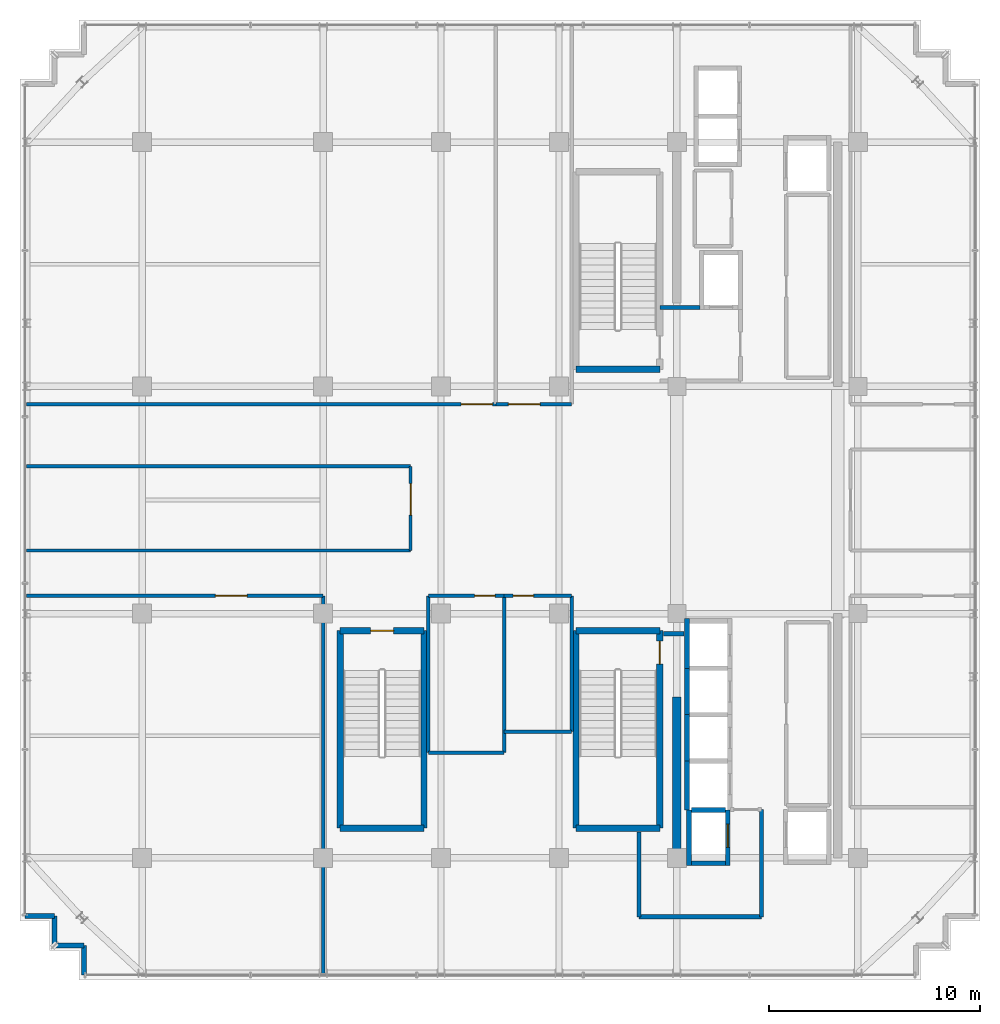
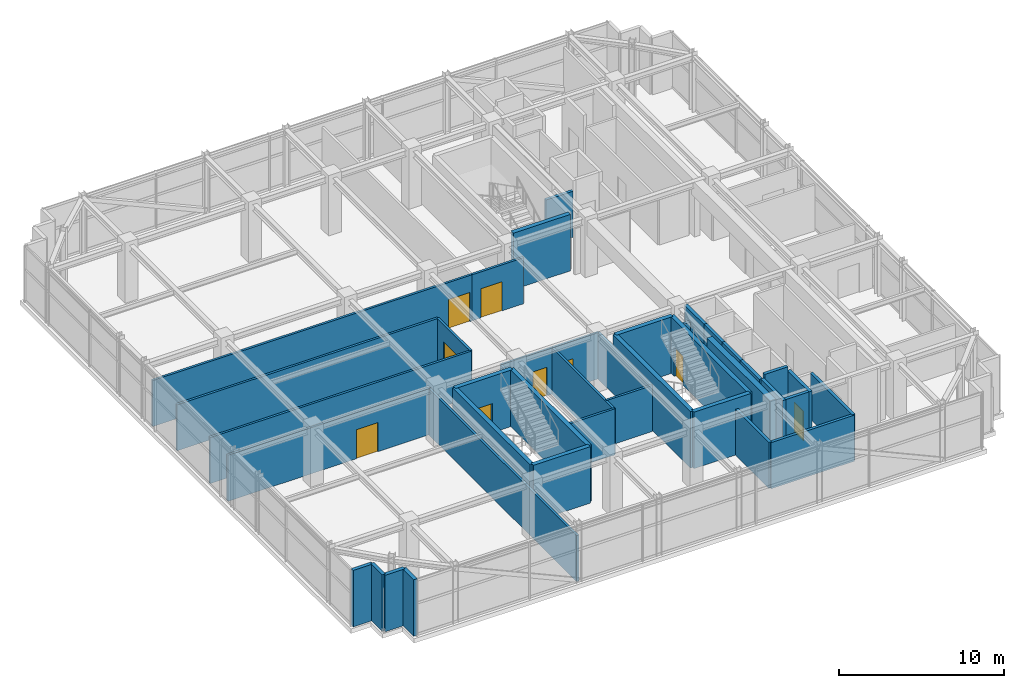
# One storey, part 22 of 26: 41 walls, 9 doors, 9 openings.
"""IFC4 building model written with IfcOpenShell, lengths in metres."""

from ifc_helpers import new_model, si_unit, direction, frame, frame_2d, origin, place, context, subcontext, project, spatial, rectangle, extrude, source, transform, mapped, material, layer, layer_set, type_object, element, fill, save


model = new_model("IFC4")

# Units and contexts
model_context = context("Model", 3, precision=1e-05, world=origin(), true_north=direction((0.0, 1.0)))
body_context = subcontext(model_context, "Body", "Model", "MODEL_VIEW")
ifc_project = project(units=[si_unit("LENGTHUNIT", "METRE"), si_unit("AREAUNIT", "SQUARE_METRE"), si_unit("VOLUMEUNIT", "CUBIC_METRE"), si_unit("PLANEANGLEUNIT", "RADIAN"), si_unit("MASSUNIT", "GRAM", prefix="KILO")], contexts=[model_context])

# Site, building, storey
site_placement = place(None, origin())
site = spatial("IfcSite", under=ifc_project, at=site_placement, CompositionType="ELEMENT")
building_placement = place(site_placement, origin())
building = spatial("IfcBuilding", under=site, at=building_placement, Name="Nahalor Promenade Grand Hotel", CompositionType="ELEMENT")
storey_placement = place(building_placement, frame((0.0, 0.0, 343.050048828125)))
storey = spatial("IfcBuildingStorey", under=building, at=storey_placement, Name="L88", CompositionType="ELEMENT", Elevation=343.050048828125)

# Walls
ifc_material_1 = material(Name="Concrete B-50 (C40/50)", Category="concrete")
ifc_layer_1 = layer(ifc_material_1, 0.39990234375)
ifc_layer_set_1 = layer_set([ifc_layer_1], Name="Concrete B-50 (C40/50)")
wall_type_1 = type_object("IfcWallType", Name="Wall-CoreShear-400", PredefinedType="SHEAR", material=ifc_layer_set_1)
shared_shape_1 = source(origin(), body_context, "Body", "SweptSolid", [
    extrude(rectangle(XDim=7.64990234375, YDim=0.39990234375, at=frame_2d((3.824951171875, 0.0))), origin(), (0.0, 0.0, 1.0), 4.169921875),
])
wall_1_placement = place(storey_placement, frame((8.39990234375, -17.0, 0.0), z_axis=(0.0, 0.0, 1.0), x_axis=(0.0, 1.0, 0.0)))
element("IfcWall", 1, at=wall_1_placement, inside=storey, type_object=wall_type_1, Name="CWALL-L88-SW", PredefinedType="SHEAR", context=body_context, shape_type="MappedRepresentation", body=[
    mapped(shared_shape_1, transform((0.0, 0.0, 0.0), scale=1.0)),
])
ifc_layer_2 = layer(ifc_material_1, 0.300048828125)
ifc_layer_set_2 = layer_set([ifc_layer_2], Name="Concrete B-50 (C40/50)")
wall_type_2 = type_object("IfcWallType", Name="Wall-ShaftShear-300", PredefinedType="SHEAR", material=ifc_layer_set_2)
shared_shape_2 = source(origin(), body_context, "Body", "SweptSolid", [
    extrude(rectangle(XDim=3.97998046875, YDim=0.300048828125, at=frame_2d((1.989990234375, 0.0))), origin(), (0.0, 0.0, 1.0), 4.169921875),
])
for number, where, z_axis, x_axis, name in (
    (2, (3.610107421875, 6.2099609375, 0.0), (0.0, 0.0, 1.0), (1.0, 0.0, 0.0), "L88 Exit Stair ST1 Shaft Wall S"),
    (3, (3.610107421875, -15.590087890625, 0.0), (0.0, 0.0, 1.0), (1.0, 0.0, 0.0), "L88 Exit Stair ST2 Shaft Wall S"),
    (4, (3.610107421875, -6.2099609375, 0.0), (0.0, 0.0, 1.0), (1.0, 0.0, 0.0), "L88 Exit Stair ST2 Shaft Wall N"),
    (5, (-7.590087890625, -15.590087890625, 0.0), (0.0, 0.0, 1.0), (1.0, 0.0, 0.0), "L88 Exit Stair ST3 Shaft Wall S"),
):
    element("IfcWall", number, at=place(storey_placement, frame(where, z_axis=z_axis, x_axis=x_axis)), inside=storey, type_object=wall_type_2, Name=name, PredefinedType="SHEAR", context=body_context, shape_type="MappedRepresentation", body=[
        mapped(shared_shape_2, transform((0.0, 0.0, 0.0), scale=1.0)),
    ])

# Wall, opening, door
wall_2_placement = place(storey_placement, frame((-7.590087890625, -6.2099609375, 0.0), z_axis=(0.0, 0.0, 1.0), x_axis=(1.0, 0.0, 0.0)))
wall_2 = element("IfcWall", 6, at=wall_2_placement, inside=storey, type_object=wall_type_2, Name="L88 Exit Stair ST3 Shaft Wall N", PredefinedType="SHEAR", context=body_context, shape_type="MappedRepresentation", body=[
    mapped(shared_shape_2, transform((0.0, 0.0, 0.0), scale=1.0)),
])
opening_1_placement = place(wall_2_placement, frame((1.43994140625, 0.0, 0.0)))
opening_1 = element("IfcOpeningElement", 7, at=opening_1_placement, cuts=wall_2, Name="Opening D-ST1", PredefinedType="OPENING", context=body_context, shape_type="SweptSolid", body=[
    extrude(rectangle(XDim=1.10009765625, YDim=2.14990234375, at=frame_2d((0.550048828125, 1.074951171875))), frame((0.0, 0.159912109375, 0.0), z_axis=(0.0, -1.0, 0.0), x_axis=(1.0, 0.0, 0.0)), (0.0, 0.0, 1.0), 0.320068359375),
])
ifc_material_2 = material(Name="Steel S355JR", Category="steel")
door_type_1 = type_object("IfcDoorType", Name="Door-StairFire-1100", OperationType="NOTDEFINED", PredefinedType="DOOR", material=ifc_material_2)
shared_shape_3 = source(origin(), body_context, "Body", "SweptSolid", [
    extrude(rectangle(XDim=1.10009765625, YDim=2.14990234375, at=frame_2d((0.550048828125, 1.074951171875))), frame((0.0, 0.02490234375, 0.0), z_axis=(0.0, -1.0, 0.0), x_axis=(1.0, 0.0, 0.0)), (0.0, 0.0, 1.0), 0.050048828125),
])
door_1_placement = place(opening_1_placement, frame((1.10009765625, 0.0, 0.0), z_axis=(0.0, 0.0, 1.0), x_axis=(-1.0, 0.0, 0.0)))
door_1 = element("IfcDoor", 8, at=door_1_placement, inside=storey, type_object=door_type_1, Name="DR-STAIR-ST3-L88", OperationType="SINGLE_SWING_LEFT", OverallHeight=2.14990234375, OverallWidth=1.10009765625, PredefinedType="DOOR", context=body_context, shape_type="MappedRepresentation", body=[
    mapped(shared_shape_3, transform((0.0, 0.0, 0.0), scale=1.0)),
])
fill(opening_1, door_1)

# Wall
shared_shape_4 = source(origin(), body_context, "Body", "SweptSolid", [
    extrude(rectangle(XDim=9.380126953125, YDim=0.300048828125, at=frame_2d((4.68994140625, 0.0))), origin(), (0.0, 0.0, 1.0), 4.169921875),
])
wall_3_placement = place(storey_placement, frame((3.610107421875, -15.590087890625, 0.0), z_axis=(0.0, 0.0, 1.0), x_axis=(0.0, 1.0, 0.0)))
element("IfcWall", 9, at=wall_3_placement, inside=storey, type_object=wall_type_2, Name="L88 Exit Stair ST2 Shaft Wall W", PredefinedType="SHEAR", context=body_context, shape_type="MappedRepresentation", body=[
    mapped(shared_shape_4, transform((0.0, 0.0, 0.0), scale=1.0)),
])

# Wall, opening, door
wall_4_placement = place(storey_placement, frame((7.590087890625, -15.590087890625, 0.0), z_axis=(0.0, 0.0, 1.0), x_axis=(0.0, 1.0, 0.0)))
wall_4 = element("IfcWall", 10, at=wall_4_placement, inside=storey, type_object=wall_type_2, Name="L88 Exit Stair ST2 Shaft Wall E", PredefinedType="SHEAR", context=body_context, shape_type="MappedRepresentation", body=[
    mapped(shared_shape_4, transform((0.0, 0.0, 0.0), scale=1.0)),
])
opening_2_placement = place(wall_4_placement, frame((7.7900390625, 0.0, 0.0)))
opening_2 = element("IfcOpeningElement", 11, at=opening_2_placement, cuts=wall_4, Name="Opening D-ST1", PredefinedType="OPENING", context=body_context, shape_type="SweptSolid", body=[
    extrude(rectangle(XDim=1.10009765625, YDim=2.14990234375, at=frame_2d((0.550048828125, 1.074951171875))), frame((0.0, 0.159912109375, 0.0), z_axis=(0.0, -1.0, 0.0), x_axis=(1.0, 0.0, 0.0)), (0.0, 0.0, 1.0), 0.320068359375),
])
door_2_placement = place(opening_2_placement, origin())
door_2 = element("IfcDoor", 12, at=door_2_placement, inside=storey, type_object=door_type_1, Name="DR-STAIR-ST2-L88", OperationType="SINGLE_SWING_LEFT", OverallHeight=2.14990234375, OverallWidth=1.10009765625, PredefinedType="DOOR", context=body_context, shape_type="MappedRepresentation", body=[
    mapped(shared_shape_3, transform((0.0, 0.0, 0.0), scale=1.0)),
])
fill(opening_2, door_2)

# Walls
for number, where, z_axis, x_axis, name in (
    (13, (-7.590087890625, -15.590087890625, 0.0), (0.0, 0.0, 1.0), (0.0, 1.0, 0.0), "L88 Exit Stair ST3 Shaft Wall W"),
    (14, (-3.610107421875, -15.590087890625, 0.0), (0.0, 0.0, 1.0), (0.0, 1.0, 0.0), "L88 Exit Stair ST3 Shaft Wall E"),
):
    element("IfcWall", number, at=place(storey_placement, frame(where, z_axis=z_axis, x_axis=x_axis)), inside=storey, type_object=wall_type_2, Name=name, PredefinedType="SHEAR", context=body_context, shape_type="MappedRepresentation", body=[
        mapped(shared_shape_4, transform((0.0, 0.0, 0.0), scale=1.0)),
    ])
ifc_layer_3 = layer(ifc_material_1, 0.219970703125)
ifc_layer_set_3 = layer_set([ifc_layer_3], Name="Concrete B-50 (C40/50)")
wall_type_3 = type_object("IfcWallType", Name="Wall-LiftShaft-220", PredefinedType="SHEAR", material=ifc_layer_set_3)
shared_shape_5 = source(origin(), body_context, "Body", "SweptSolid", [
    extrude(rectangle(XDim=2.360107421875, YDim=0.219970703125, at=frame_2d((1.18017578125, 0.0))), origin(), (0.0, 0.0, 1.0), 4.169921875),
])
wall_5_placement = place(storey_placement, frame((8.8798828125, -8.0, 0.0), z_axis=(0.0, 0.0, 1.0), x_axis=(0.0, 1.0, 0.0)))
element("IfcWall", 15, at=wall_5_placement, inside=storey, type_object=wall_type_3, Name="L88 Lift PL9 Hoistway Wall W", PredefinedType="SHEAR", context=body_context, shape_type="MappedRepresentation", body=[
    mapped(shared_shape_5, transform((0.0, 0.0, 0.0), scale=1.0)),
])
shared_shape_6 = source(origin(), body_context, "Body", "SweptSolid", [
    extrude(rectangle(XDim=2.199951171875, YDim=0.219970703125, at=frame_2d((1.10009765625, 0.0))), origin(), (0.0, 0.0, 1.0), 4.169921875),
])
for number, where, z_axis, x_axis, name in (
    (16, (8.8798828125, -10.199951171875, 0.0), (0.0, 0.0, 1.0), (0.0, 1.0, 0.0), "L88 Lift PL10 Hoistway Wall W"),
    (17, (8.8798828125, -12.39990234375, 0.0), (0.0, 0.0, 1.0), (0.0, 1.0, 0.0), "L88 Lift PL11 Hoistway Wall W"),
):
    element("IfcWall", number, at=place(storey_placement, frame(where, z_axis=z_axis, x_axis=x_axis)), inside=storey, type_object=wall_type_3, Name=name, PredefinedType="SHEAR", context=body_context, shape_type="MappedRepresentation", body=[
        mapped(shared_shape_6, transform((0.0, 0.0, 0.0), scale=1.0)),
    ])
shared_shape_7 = source(origin(), body_context, "Body", "SweptSolid", [
    extrude(rectangle(XDim=2.3251953125, YDim=0.219970703125, at=frame_2d((1.16259765625, 0.0))), origin(), (0.0, 0.0, 1.0), 4.169921875),
])
wall_6_placement = place(storey_placement, frame((8.8798828125, -14.72509765625, 0.0), z_axis=(0.0, 0.0, 1.0), x_axis=(0.0, 1.0, 0.0)))
element("IfcWall", 18, at=wall_6_placement, inside=storey, type_object=wall_type_3, Name="L88 Lift PL12 Hoistway Wall W", PredefinedType="SHEAR", context=body_context, shape_type="MappedRepresentation", body=[
    mapped(shared_shape_7, transform((0.0, 0.0, 0.0), scale=1.0)),
])
shared_shape_8 = source(origin(), body_context, "Body", "SweptSolid", [
    extrude(rectangle(XDim=1.619873046875, YDim=0.219970703125, at=frame_2d((0.81005859375, 0.0))), origin(), (0.0, 0.0, 1.0), 4.5),
])
wall_7_placement = place(storey_placement, frame((9.090087890625, -14.72509765625, 0.0), z_axis=(0.0, 0.0, 1.0), x_axis=(1.0, 0.0, 0.0)))
element("IfcWall", 19, at=wall_7_placement, inside=storey, type_object=wall_type_3, Name="L88 Lift FL2 Hoistway Wall N", PredefinedType="SHEAR", context=body_context, shape_type="MappedRepresentation", body=[
    mapped(shared_shape_8, transform((0.0, 0.0, 0.0), scale=1.0)),
])
shared_shape_9 = source(origin(), body_context, "Body", "SweptSolid", [
    extrude(rectangle(XDim=2.635009765625, YDim=0.219970703125, at=frame_2d((1.3173828125, 0.0))), origin(), (0.0, 0.0, 1.0), 4.169921875),
])
wall_8_placement = place(storey_placement, frame((8.97998046875, -17.360107421875, 0.0), z_axis=(0.0, 0.0, 1.0), x_axis=(0.0, 1.0, 0.0)))
element("IfcWall", 20, at=wall_8_placement, inside=storey, type_object=wall_type_3, Name="L88 Lift FL2 Hoistway Wall W", PredefinedType="SHEAR", context=body_context, shape_type="MappedRepresentation", body=[
    mapped(shared_shape_9, transform((0.0, 0.0, 0.0), scale=1.0)),
])

# Wall, opening, door
wall_9_placement = place(storey_placement, frame((10.820068359375, -17.360107421875, 0.0), z_axis=(0.0, 0.0, 1.0), x_axis=(0.0, 1.0, 0.0)))
wall_9 = element("IfcWall", 21, at=wall_9_placement, inside=storey, type_object=wall_type_3, Name="L88 Lift FL2 Hoistway Wall E", PredefinedType="SHEAR", context=body_context, shape_type="MappedRepresentation", body=[
    mapped(shared_shape_9, transform((0.0, 0.0, 0.0), scale=1.0)),
])
opening_3_placement = place(wall_9_placement, frame((0.860107421875, 0.0, 0.0)))
opening_3 = element("IfcOpeningElement", 22, at=opening_3_placement, cuts=wall_9, Name="Opening LD-02", PredefinedType="OPENING", context=body_context, shape_type="SweptSolid", body=[
    extrude(rectangle(XDim=1.10009765625, YDim=2.199951171875, at=frame_2d((0.550048828125, 1.10009765625))), frame((0.0, 0.119873046875, 0.0), z_axis=(0.0, -1.0, 0.0), x_axis=(1.0, 0.0, 0.0)), (0.0, 0.0, 1.0), 0.239990234375),
])
door_type_2 = type_object("IfcDoorType", Name="Door-LiftFF-1100", OperationType="DOUBLE_DOOR_SLIDING", PredefinedType="DOOR", material=ifc_material_2)
shared_shape_10 = source(origin(), body_context, "Body", "SweptSolid", [
    extrude(rectangle(XDim=1.10009765625, YDim=2.199951171875, at=frame_2d((0.550048828125, 1.10009765625))), frame((0.0, 0.02490234375, 0.0), z_axis=(0.0, -1.0, 0.0), x_axis=(1.0, 0.0, 0.0)), (0.0, 0.0, 1.0), 0.050048828125),
])
door_3_placement = place(opening_3_placement, frame((1.10009765625, 0.0, 0.0), z_axis=(0.0, 0.0, 1.0), x_axis=(-1.0, 0.0, 0.0)))
door_3 = element("IfcDoor", 23, at=door_3_placement, inside=storey, type_object=door_type_2, Name="DR-LIFT-FL2-L88", OperationType="DOUBLE_DOOR_SLIDING", OverallHeight=2.199951171875, OverallWidth=1.10009765625, PredefinedType="DOOR", context=body_context, shape_type="MappedRepresentation", body=[
    mapped(shared_shape_10, transform((0.0, 0.0, 0.0), scale=1.0)),
])
fill(opening_3, door_3)

# Walls
shared_shape_11 = source(origin(), body_context, "Body", "SweptSolid", [
    extrude(rectangle(XDim=1.619873046875, YDim=0.219970703125, at=frame_2d((0.81005859375, 0.0))), origin(), (0.0, 0.0, 1.0), 4.169921875),
])
wall_10_placement = place(storey_placement, frame((9.090087890625, -17.25, 0.0), z_axis=(0.0, 0.0, 1.0), x_axis=(1.0, 0.0, 0.0)))
element("IfcWall", 24, at=wall_10_placement, inside=storey, type_object=wall_type_3, Name="L88 Lift FL2 Hoistway Wall S", PredefinedType="SHEAR", context=body_context, shape_type="MappedRepresentation", body=[
    mapped(shared_shape_11, transform((0.0, 0.0, 0.0), scale=1.0)),
])
ifc_material_3 = material(Name="Concrete B-40 (C32/40)", Category="concrete")
ifc_layer_4 = layer(ifc_material_3, 0.25)
ifc_layer_set_4 = layer_set([ifc_layer_4], Name="Concrete B-40 (C32/40)")
wall_type_4 = type_object("IfcWallType", Name="Wall-BronzePier-250", PredefinedType="STANDARD", material=ifc_layer_set_4)
shared_shape_12 = source(origin(), body_context, "Body", "SweptSolid", [
    extrude(rectangle(XDim=1.400146484375, YDim=0.25, at=frame_2d((0.7001953125, 0.0))), origin(), (0.0, 0.0, 1.0), 4.169921875),
])
for number, where, z_axis, x_axis, name in (
    (25, (-22.56005859375, -19.760009765625, 0.0), (0.0, 0.0, 1.0), (1.0, 0.0, 0.0), "W-L88-SR-13"),
    (26, (-19.760009765625, -22.56005859375, 0.0), (0.0, 0.0, 1.0), (0.0, 1.0, 0.0), "W-L88-SR-16"),
):
    element("IfcWall", number, at=place(storey_placement, frame(where, z_axis=z_axis, x_axis=x_axis)), inside=storey, type_object=wall_type_4, Name=name, PredefinedType="STANDARD", context=body_context, shape_type="MappedRepresentation", body=[
        mapped(shared_shape_12, transform((0.0, 0.0, 0.0), scale=1.0)),
    ])
shared_shape_13 = source(origin(), body_context, "Body", "SweptSolid", [
    extrude(rectangle(XDim=1.39990234375, YDim=0.25, at=frame_2d((0.699951171875, 0.0))), origin(), (0.0, 0.0, 1.0), 4.169921875),
])
for number, where, z_axis, x_axis, name in (
    (27, (-21.159912109375, -21.159912109375, 0.0), (0.0, 0.0, 1.0), (0.0, 1.0, 0.0), "W-L88-SR-14"),
    (28, (-21.159912109375, -21.159912109375, 0.0), (0.0, 0.0, 1.0), (1.0, 0.0, 0.0), "W-L88-SR-15"),
):
    element("IfcWall", number, at=place(storey_placement, frame(where, z_axis=z_axis, x_axis=x_axis)), inside=storey, type_object=wall_type_4, Name=name, PredefinedType="STANDARD", context=body_context, shape_type="MappedRepresentation", body=[
        mapped(shared_shape_13, transform((0.0, 0.0, 0.0), scale=1.0)),
    ])
ifc_layer_5 = layer(ifc_material_3, 0.199951171875)
ifc_layer_set_5 = layer_set([ifc_layer_5], Name="Concrete B-40 (C32/40)")
wall_type_5 = type_object("IfcWallType", Name="Wall-PartFire-200", PredefinedType="PARTITIONING", material=ifc_layer_set_5)
shared_shape_14 = source(origin(), body_context, "Body", "SweptSolid", [
    extrude(rectangle(XDim=1.89990234375, YDim=0.199951171875, at=frame_2d((0.949951171875, 0.0))), origin(), (0.0, 0.0, 1.0), 3.39990234375),
])
wall_11_placement = place(storey_placement, frame((7.60009765625, 9.14990234375, 0.0), z_axis=(0.0, 0.0, 1.0), x_axis=(1.0, 0.0, 0.0)))
element("IfcWall", 29, at=wall_11_placement, inside=storey, type_object=wall_type_5, Name="W-L88-FF1-N", PredefinedType="PARTITIONING", context=body_context, shape_type="MappedRepresentation", body=[
    mapped(shared_shape_14, transform((0.0, 0.0, 0.0), scale=1.0)),
])
shared_shape_15 = source(origin(), body_context, "Body", "SweptSolid", [
    extrude(rectangle(XDim=5.81982421875, YDim=0.199951171875, at=frame_2d((2.909912109375, 0.0))), origin(), (0.0, 0.0, 1.0), 3.39990234375),
])
wall_12_placement = place(storey_placement, frame((6.60009765625, -19.800048828125, 0.0), z_axis=(0.0, 0.0, 1.0), x_axis=(1.0, 0.0, 0.0)))
element("IfcWall", 30, at=wall_12_placement, inside=storey, type_object=wall_type_5, Name="W-L88-FF2-S1", PredefinedType="PARTITIONING", context=body_context, shape_type="MappedRepresentation", body=[
    mapped(shared_shape_15, transform((0.0, 0.0, 0.0), scale=1.0)),
])
shared_shape_16 = source(origin(), body_context, "Body", "SweptSolid", [
    extrude(rectangle(XDim=4.030029296875, YDim=0.199951171875, at=frame_2d((2.01513671875, 0.0))), origin(), (0.0, 0.0, 1.0), 3.39990234375),
])
wall_13_placement = place(storey_placement, frame((6.60009765625, -19.800048828125, 0.0), z_axis=(0.0, 0.0, 1.0), x_axis=(0.0, 1.0, 0.0)))
element("IfcWall", 31, at=wall_13_placement, inside=storey, type_object=wall_type_5, Name="W-L88-FF2-W1", PredefinedType="PARTITIONING", context=body_context, shape_type="MappedRepresentation", body=[
    mapped(shared_shape_16, transform((0.0, 0.0, 0.0), scale=1.0)),
])
shared_shape_17 = source(origin(), body_context, "Body", "SweptSolid", [
    extrude(rectangle(XDim=5.10009765625, YDim=0.199951171875, at=frame_2d((2.550048828125, 0.0))), origin(), (0.0, 0.0, 1.0), 3.39990234375),
])
wall_14_placement = place(storey_placement, frame((12.419921875, -19.800048828125, 0.0), z_axis=(0.0, 0.0, 1.0), x_axis=(0.0, 1.0, 0.0)))
element("IfcWall", 32, at=wall_14_placement, inside=storey, type_object=wall_type_5, Name="W-L88-FF2-E", PredefinedType="PARTITIONING", context=body_context, shape_type="MappedRepresentation", body=[
    mapped(shared_shape_17, transform((0.0, 0.0, 0.0), scale=1.0)),
])
shared_shape_18 = source(origin(), body_context, "Body", "SweptSolid", [
    extrude(rectangle(XDim=0.969970703125, YDim=0.199951171875, at=frame_2d((0.48486328125, 0.0))), origin(), (0.0, 0.0, 1.0), 3.39990234375),
])
wall_15_placement = place(storey_placement, frame((7.77001953125, -6.35009765625, 0.0), z_axis=(0.0, 0.0, 1.0), x_axis=(1.0, 0.0, 0.0)))
element("IfcWall", 33, at=wall_15_placement, inside=storey, type_object=wall_type_5, Name="W-L88-FF2-N2", PredefinedType="PARTITIONING", context=body_context, shape_type="MappedRepresentation", body=[
    mapped(shared_shape_18, transform((0.0, 0.0, 0.0), scale=1.0)),
])
ifc_material_4 = material(Name="Acoustic Mineral Gypsum", Category="gypsum")
ifc_layer_6 = layer(ifc_material_4, 0.159912109375)
ifc_layer_set_6 = layer_set([ifc_layer_6], Name="Acoustic Mineral Gypsum")
wall_type_6 = type_object("IfcWallType", Name="Wall-PartCorridor-160", PredefinedType="PARTITIONING", material=ifc_layer_set_6)
shared_shape_19 = source(origin(), body_context, "Body", "SweptSolid", [
    extrude(rectangle(XDim=7.449951171875, YDim=0.159912109375, at=frame_2d((3.72509765625, 0.0))), origin(), (0.0, 0.0, 1.0), 3.39990234375),
])
for number, where, z_axis, x_axis, name in (
    (34, (-3.39990234375, -12.0, 0.0), (0.0, 0.0, 1.0), (0.0, 1.0, 0.0), "W-L88-SK08-W"),
    (35, (0.199951171875, -12.0, 0.0), (0.0, 0.0, 1.0), (0.0, 1.0, 0.0), "W-L88-SK08-E"),
):
    element("IfcWall", number, at=place(storey_placement, frame(where, z_axis=z_axis, x_axis=x_axis)), inside=storey, type_object=wall_type_6, Name=name, PredefinedType="PARTITIONING", context=body_context, shape_type="MappedRepresentation", body=[
        mapped(shared_shape_19, transform((0.0, 0.0, 0.0), scale=1.0)),
    ])
shared_shape_20 = source(origin(), body_context, "Body", "SweptSolid", [
    extrude(rectangle(XDim=18.25, YDim=0.159912109375, at=frame_2d((9.125, 0.0))), origin(), (0.0, 0.0, 1.0), 3.39990234375),
])
for number, where, z_axis, x_axis, name in (
    (36, (-22.5, -2.39990234375, 0.0), (0.0, 0.0, 1.0), (1.0, 0.0, 0.0), "W-L88-SK01-S"),
    (37, (-22.5, 1.60009765625, 0.0), (0.0, 0.0, 1.0), (1.0, 0.0, 0.0), "W-L88-SK01-N"),
):
    element("IfcWall", number, at=place(storey_placement, frame(where, z_axis=z_axis, x_axis=x_axis)), inside=storey, type_object=wall_type_6, Name=name, PredefinedType="PARTITIONING", context=body_context, shape_type="MappedRepresentation", body=[
        mapped(shared_shape_20, transform((0.0, 0.0, 0.0), scale=1.0)),
    ])

# Wall, opening, door
shared_shape_21 = source(origin(), body_context, "Body", "SweptSolid", [
    extrude(rectangle(XDim=22.300048828125, YDim=0.159912109375, at=frame_2d((11.14990234375, 0.0))), origin(), (0.0, 0.0, 1.0), 3.39990234375),
])
wall_16_placement = place(storey_placement, frame((-22.5, 4.550048828125, 0.0), z_axis=(0.0, 0.0, 1.0), x_axis=(1.0, 0.0, 0.0)))
wall_16 = element("IfcWall", 38, at=wall_16_placement, inside=storey, type_object=wall_type_6, Name="W-L88-SK03-S", PredefinedType="PARTITIONING", context=body_context, shape_type="MappedRepresentation", body=[
    mapped(shared_shape_21, transform((0.0, 0.0, 0.0), scale=1.0)),
])
opening_4_placement = place(wall_16_placement, frame((20.64990234375, 0.0, 0.0)))
opening_4 = element("IfcOpeningElement", 39, at=opening_4_placement, cuts=wall_16, Name="Opening D-02", PredefinedType="OPENING", context=body_context, shape_type="SweptSolid", body=[
    extrude(rectangle(XDim=1.5, YDim=2.14990234375, at=frame_2d((0.75, 1.074951171875))), frame((0.0, 0.08984375, 0.0), z_axis=(0.0, -1.0, 0.0), x_axis=(1.0, 0.0, 0.0)), (0.0, 0.0, 1.0), 0.179931640625),
])
ifc_material_5 = material(Name="Fire-Rated Timber Composite", Category="wood")
door_type_3 = type_object("IfcDoorType", Name="Door-SuiteDouble-1500", OperationType="DOUBLE_DOOR_SINGLE_SWING", PredefinedType="DOOR", material=ifc_material_5)
shared_shape_22 = source(origin(), body_context, "Body", "SweptSolid", [
    extrude(rectangle(XDim=1.5, YDim=2.14990234375, at=frame_2d((0.75, 1.074951171875))), frame((0.0, 0.02490234375, 0.0), z_axis=(0.0, -1.0, 0.0), x_axis=(1.0, 0.0, 0.0)), (0.0, 0.0, 1.0), 0.050048828125),
])
door_4_placement = place(opening_4_placement, origin())
door_4 = element("IfcDoor", 40, at=door_4_placement, inside=storey, type_object=door_type_3, Name="DR-L88-SK03", OperationType="DOUBLE_DOOR_SINGLE_SWING", OverallHeight=2.14990234375, OverallWidth=1.5, PredefinedType="DOOR", context=body_context, shape_type="MappedRepresentation", body=[
    mapped(shared_shape_22, transform((0.0, 0.0, 0.0), scale=1.0)),
])
fill(opening_4, door_4)

# Wall
shared_shape_23 = source(origin(), body_context, "Body", "SweptSolid", [
    extrude(rectangle(XDim=17.949951171875, YDim=0.159912109375, at=frame_2d((8.97509765625, 0.0))), origin(), (0.0, 0.0, 1.0), 3.39990234375),
])
wall_17_placement = place(storey_placement, frame((-8.39990234375, -22.5, 0.0), z_axis=(0.0, 0.0, 1.0), x_axis=(0.0, 1.0, 0.0)))
element("IfcWall", 41, at=wall_17_placement, inside=storey, type_object=wall_type_6, Name="W-L88-SK05-E", PredefinedType="PARTITIONING", context=body_context, shape_type="MappedRepresentation", body=[
    mapped(shared_shape_23, transform((0.0, 0.0, 0.0), scale=1.0)),
])

# Wall, opening, door
shared_shape_24 = source(origin(), body_context, "Body", "SweptSolid", [
    extrude(rectangle(XDim=3.599853515625, YDim=0.159912109375, at=frame_2d((1.7998046875, 0.0))), origin(), (0.0, 0.0, 1.0), 3.39990234375),
])
wall_18_placement = place(storey_placement, frame((-0.199951171875, 4.550048828125, 0.0), z_axis=(0.0, 0.0, 1.0), x_axis=(1.0, 0.0, 0.0)))
wall_18 = element("IfcWall", 42, at=wall_18_placement, inside=storey, type_object=wall_type_6, Name="W-L88-SK04-S", PredefinedType="PARTITIONING", context=body_context, shape_type="MappedRepresentation", body=[
    mapped(shared_shape_24, transform((0.0, 0.0, 0.0), scale=1.0)),
])
opening_5_placement = place(wall_18_placement, frame((0.60009765625, 0.0, 0.0)))
opening_5 = element("IfcOpeningElement", 43, at=opening_5_placement, cuts=wall_18, Name="Opening D-02", PredefinedType="OPENING", context=body_context, shape_type="SweptSolid", body=[
    extrude(rectangle(XDim=1.5, YDim=2.14990234375, at=frame_2d((0.75, 1.074951171875))), frame((0.0, 0.08984375, 0.0), z_axis=(0.0, -1.0, 0.0), x_axis=(1.0, 0.0, 0.0)), (0.0, 0.0, 1.0), 0.179931640625),
])
door_5_placement = place(opening_5_placement, origin())
door_5 = element("IfcDoor", 44, at=door_5_placement, inside=storey, type_object=door_type_3, Name="DR-L88-SK04", OperationType="DOUBLE_DOOR_SINGLE_SWING", OverallHeight=2.14990234375, OverallWidth=1.5, PredefinedType="DOOR", context=body_context, shape_type="MappedRepresentation", body=[
    mapped(shared_shape_22, transform((0.0, 0.0, 0.0), scale=1.0)),
])
fill(opening_5, door_5)

# Wall
wall_19_placement = place(storey_placement, frame((-3.39990234375, -12.0, 0.0), z_axis=(0.0, 0.0, 1.0), x_axis=(1.0, 0.0, 0.0)))
element("IfcWall", 45, at=wall_19_placement, inside=storey, type_object=wall_type_6, Name="W-L88-SK08-S", PredefinedType="PARTITIONING", context=body_context, shape_type="MappedRepresentation", body=[
    mapped(shared_shape_24, transform((0.0, 0.0, 0.0), scale=1.0)),
])

# Wall, opening, door
wall_20_placement = place(storey_placement, frame((-3.39990234375, -4.550048828125, 0.0), z_axis=(0.0, 0.0, 1.0), x_axis=(1.0, 0.0, 0.0)))
wall_20 = element("IfcWall", 46, at=wall_20_placement, inside=storey, type_object=wall_type_6, Name="W-L88-SK08-N", PredefinedType="PARTITIONING", context=body_context, shape_type="MappedRepresentation", body=[
    mapped(shared_shape_24, transform((0.0, 0.0, 0.0), scale=1.0)),
])
opening_6_placement = place(wall_20_placement, frame((2.18994140625, 0.0, 0.0)))
opening_6 = element("IfcOpeningElement", 47, at=opening_6_placement, cuts=wall_20, Name="Opening D-05", PredefinedType="OPENING", context=body_context, shape_type="SweptSolid", body=[
    extrude(rectangle(XDim=0.97998046875, YDim=2.10009765625, at=frame_2d((0.489990234375, 1.050048828125))), frame((0.0, 0.08984375, 0.0), z_axis=(0.0, -1.0, 0.0), x_axis=(1.0, 0.0, 0.0)), (0.0, 0.0, 1.0), 0.179931640625),
])
door_type_4 = type_object("IfcDoorType", Name="Door-AccessibleWC-980", OperationType="NOTDEFINED", PredefinedType="DOOR", material=ifc_material_5)
shared_shape_25 = source(origin(), body_context, "Body", "SweptSolid", [
    extrude(rectangle(XDim=0.97998046875, YDim=2.10009765625, at=frame_2d((0.489990234375, 1.050048828125))), frame((0.0, 0.02490234375, 0.0), z_axis=(0.0, -1.0, 0.0), x_axis=(1.0, 0.0, 0.0)), (0.0, 0.0, 1.0), 0.050048828125),
])
door_6_placement = place(opening_6_placement, frame((0.97998046875, 0.0, 0.0), z_axis=(0.0, 0.0, 1.0), x_axis=(-1.0, 0.0, 0.0)))
door_6 = element("IfcDoor", 48, at=door_6_placement, inside=storey, type_object=door_type_4, Name="DR-L88-SK08", OperationType="SINGLE_SWING_LEFT", OverallHeight=2.10009765625, OverallWidth=0.97998046875, PredefinedType="DOOR", context=body_context, shape_type="MappedRepresentation", body=[
    mapped(shared_shape_25, transform((0.0, 0.0, 0.0), scale=1.0)),
])
fill(opening_6, door_6)

shared_shape_26 = source(origin(), body_context, "Body", "SweptSolid", [
    extrude(rectangle(XDim=14.10009765625, YDim=0.159912109375, at=frame_2d((7.050048828125, 0.0))), origin(), (0.0, 0.0, 1.0), 3.39990234375),
])
wall_21_placement = place(storey_placement, frame((-22.5, -4.550048828125, 0.0), z_axis=(0.0, 0.0, 1.0), x_axis=(1.0, 0.0, 0.0)))
wall_21 = element("IfcWall", 49, at=wall_21_placement, inside=storey, type_object=wall_type_6, Name="W-L88-SK05-N", PredefinedType="PARTITIONING", context=body_context, shape_type="MappedRepresentation", body=[
    mapped(shared_shape_26, transform((0.0, 0.0, 0.0), scale=1.0)),
])
opening_7_placement = place(wall_21_placement, frame((8.98291015625, 0.0, 0.0)))
opening_7 = element("IfcOpeningElement", 50, at=opening_7_placement, cuts=wall_21, Name="Opening D-02", PredefinedType="OPENING", context=body_context, shape_type="SweptSolid", body=[
    extrude(rectangle(XDim=1.5, YDim=2.14990234375, at=frame_2d((0.75, 1.074951171875))), frame((0.0, 0.08984375, 0.0), z_axis=(0.0, -1.0, 0.0), x_axis=(1.0, 0.0, 0.0)), (0.0, 0.0, 1.0), 0.179931640625),
])
door_7_placement = place(opening_7_placement, frame((1.5, 0.0, 0.0), z_axis=(0.0, 0.0, 1.0), x_axis=(-1.0, 0.0, 0.0)))
door_7 = element("IfcDoor", 51, at=door_7_placement, inside=storey, type_object=door_type_3, Name="DR-L88-SK05", OperationType="DOUBLE_DOOR_SINGLE_SWING", OverallHeight=2.14990234375, OverallWidth=1.5, PredefinedType="DOOR", context=body_context, shape_type="MappedRepresentation", body=[
    mapped(shared_shape_22, transform((0.0, 0.0, 0.0), scale=1.0)),
])
fill(opening_7, door_7)

# Wall
shared_shape_27 = source(origin(), body_context, "Body", "SweptSolid", [
    extrude(rectangle(XDim=3.199951171875, YDim=0.159912109375, at=frame_2d((1.60009765625, 0.0))), origin(), (0.0, 0.0, 1.0), 3.39990234375),
])
wall_22_placement = place(storey_placement, frame((0.199951171875, -11.0, 0.0), z_axis=(0.0, 0.0, 1.0), x_axis=(1.0, 0.0, 0.0)))
element("IfcWall", 52, at=wall_22_placement, inside=storey, type_object=wall_type_6, Name="W-L88-SK09-S", PredefinedType="PARTITIONING", context=body_context, shape_type="MappedRepresentation", body=[
    mapped(shared_shape_27, transform((0.0, 0.0, 0.0), scale=1.0)),
])

# Wall, opening, door
wall_23_placement = place(storey_placement, frame((0.199951171875, -4.550048828125, 0.0), z_axis=(0.0, 0.0, 1.0), x_axis=(1.0, 0.0, 0.0)))
wall_23 = element("IfcWall", 53, at=wall_23_placement, inside=storey, type_object=wall_type_6, Name="W-L88-SK09-N", PredefinedType="PARTITIONING", context=body_context, shape_type="MappedRepresentation", body=[
    mapped(shared_shape_27, transform((0.0, 0.0, 0.0), scale=1.0)),
])
opening_8_placement = place(wall_23_placement, frame((0.4208984375, 0.0, 0.0)))
opening_8 = element("IfcOpeningElement", 54, at=opening_8_placement, cuts=wall_23, Name="Opening D-05", PredefinedType="OPENING", context=body_context, shape_type="SweptSolid", body=[
    extrude(rectangle(XDim=0.97998046875, YDim=2.10009765625, at=frame_2d((0.489990234375, 1.050048828125))), frame((0.0, 0.08984375, 0.0), z_axis=(0.0, -1.0, 0.0), x_axis=(1.0, 0.0, 0.0)), (0.0, 0.0, 1.0), 0.179931640625),
])
door_8_placement = place(opening_8_placement, frame((0.97998046875, 0.0, 0.0), z_axis=(0.0, 0.0, 1.0), x_axis=(-1.0, 0.0, 0.0)))
door_8 = element("IfcDoor", 55, at=door_8_placement, inside=storey, type_object=door_type_4, Name="DR-L88-SK09", OperationType="SINGLE_SWING_RIGHT", OverallHeight=2.10009765625, OverallWidth=0.97998046875, PredefinedType="DOOR", context=body_context, shape_type="MappedRepresentation", body=[
    mapped(shared_shape_25, transform((0.0, 0.0, 0.0), scale=1.0)),
])
fill(opening_8, door_8)

# Wall
shared_shape_28 = source(origin(), body_context, "Body", "SweptSolid", [
    extrude(rectangle(XDim=6.449951171875, YDim=0.159912109375, at=frame_2d((3.22509765625, 0.0))), origin(), (0.0, 0.0, 1.0), 3.39990234375),
])
wall_24_placement = place(storey_placement, frame((3.39990234375, -11.0, 0.0), z_axis=(0.0, 0.0, 1.0), x_axis=(0.0, 1.0, 0.0)))
element("IfcWall", 56, at=wall_24_placement, inside=storey, type_object=wall_type_6, Name="W-L88-SK09-E", PredefinedType="PARTITIONING", context=body_context, shape_type="MappedRepresentation", body=[
    mapped(shared_shape_28, transform((0.0, 0.0, 0.0), scale=1.0)),
])

# Wall, opening, door
shared_shape_29 = source(origin(), body_context, "Body", "SweptSolid", [
    extrude(rectangle(XDim=4.0, YDim=0.159912109375, at=frame_2d((2.0, 0.0))), origin(), (0.0, 0.0, 1.0), 3.39990234375),
])
wall_25_placement = place(storey_placement, frame((-4.25, -2.39990234375, 0.0), z_axis=(0.0, 0.0, 1.0), x_axis=(0.0, 1.0, 0.0)))
wall_25 = element("IfcWall", 57, at=wall_25_placement, inside=storey, type_object=wall_type_6, Name="W-L88-SK01-E", PredefinedType="PARTITIONING", context=body_context, shape_type="MappedRepresentation", body=[
    mapped(shared_shape_29, transform((0.0, 0.0, 0.0), scale=1.0)),
])
opening_9_placement = place(wall_25_placement, frame((1.677001953125, 0.0, 0.0)))
opening_9 = element("IfcOpeningElement", 58, at=opening_9_placement, cuts=wall_25, Name="Opening D-02", PredefinedType="OPENING", context=body_context, shape_type="SweptSolid", body=[
    extrude(rectangle(XDim=1.5, YDim=2.14990234375, at=frame_2d((0.75, 1.074951171875))), frame((0.0, 0.08984375, 0.0), z_axis=(0.0, -1.0, 0.0), x_axis=(1.0, 0.0, 0.0)), (0.0, 0.0, 1.0), 0.179931640625),
])
door_9_placement = place(opening_9_placement, origin())
door_9 = element("IfcDoor", 59, at=door_9_placement, inside=storey, type_object=door_type_3, Name="DR-L88-SK01", OperationType="DOUBLE_DOOR_SINGLE_SWING", OverallHeight=2.14990234375, OverallWidth=1.5, PredefinedType="DOOR", context=body_context, shape_type="MappedRepresentation", body=[
    mapped(shared_shape_22, transform((0.0, 0.0, 0.0), scale=1.0)),
])
fill(opening_9, door_9)

save(model, "model.ifc")
